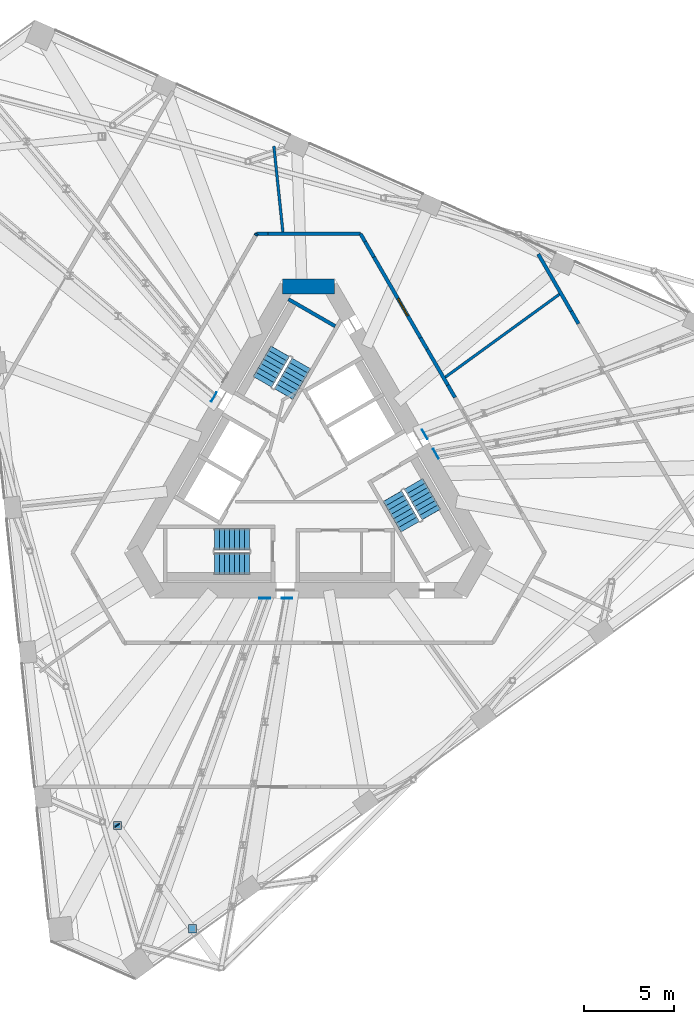
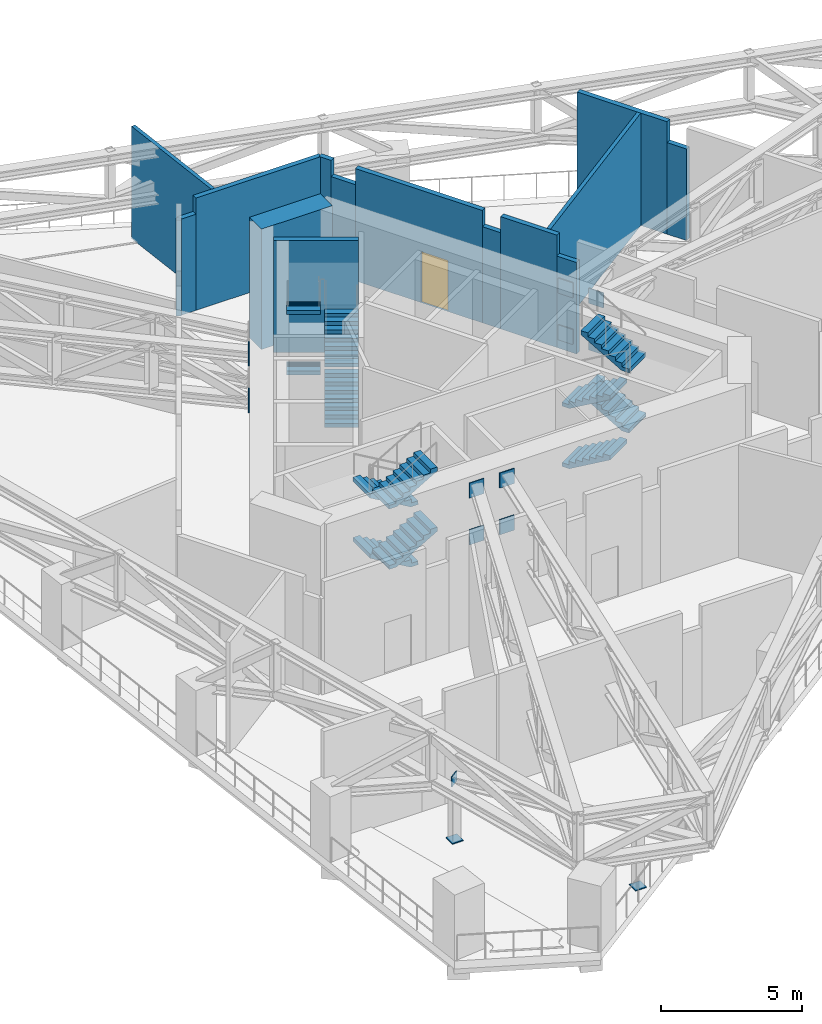
# One storey, part 19 of 26: 15 walls, 13 discrete accessories, 12 stair flights, 1 door, 1 opening, 3 elements without a shape of their own.
"""IFC4 building model written with IfcOpenShell, lengths in metres."""

import ifcopenshell
import ifcopenshell.guid

model = None  # the IFC model being written
_history = None  # IfcOwnerHistory: only IFC2X3 demands one
_inside = {}  # id of a spatial element -> (the spatial element, [elements in it])
_under = {}  # id of a project, library or spatial element -> (it, [spatial elements below it])
_declared = {}  # id of a project -> (the project, [libraries it declares])
_typed = {}  # id of a type object -> (the type object, [elements of that type])
_made_of = {}  # id of a material, layer set ... -> (it, [elements and type objects made of it])


def new_model(schema):
    """Start an empty IFC model of exactly this schema.

    Asked for "IFC4X3", IfcOpenShell would pick the latest addendum, in which some entities
    have other attributes; the version numbers below select the first issue.
    IFC2X3 requires an IfcOwnerHistory on every rooted entity: one is made here for all.
    """
    global model, _history
    if schema == "IFC4X3":
        model = ifcopenshell.file(schema_version=(4, 3, 0, 0))
    else:
        model = ifcopenshell.file(schema=schema)
    _inside.clear()
    _under.clear()
    _declared.clear()
    _typed.clear()
    _made_of.clear()
    _history = None
    if model.schema == "IFC2X3":
        org = make("IfcOrganization", Name="unknown")
        user = make(
            "IfcPersonAndOrganization",
            ThePerson=make("IfcPerson", FamilyName="unknown"),
            TheOrganization=org,
        )
        app = make(
            "IfcApplication",
            ApplicationDeveloper=org,
            Version="unknown",
            ApplicationFullName="unknown",
            ApplicationIdentifier="unknown",
        )
        _history = make(
            "IfcOwnerHistory",
            OwningUser=user,
            OwningApplication=app,
            ChangeAction="ADDED",
            CreationDate=0,
        )
    return model


def make(cls, **values):
    """One entity of the class cls with the attributes given. An attribute that is None is left unset."""
    return model.create_entity(
        cls, **{name: value for name, value in values.items() if value is not None}
    )


def rooted(cls, **values):
    """An entity with a GlobalId (a new one), such as an element, a storey or a relation."""
    return make(cls, GlobalId=ifcopenshell.guid.new(), OwnerHistory=_history, **values)


def si_unit(unit_type, name, prefix=None):
    """IfcSIUnit, for example si_unit("LENGTHUNIT", "METRE", prefix="MILLI")."""
    return make("IfcSIUnit", UnitType=unit_type, Prefix=prefix, Name=name)


def assignment(units):
    """IfcUnitAssignment: the units of a project."""
    return None if units is None else make("IfcUnitAssignment", Units=units)


def point(xyz):
    """IfcCartesianPoint."""
    return None if xyz is None else make("IfcCartesianPoint", Coordinates=xyz)


def direction(xyz):
    """IfcDirection."""
    return None if xyz is None else make("IfcDirection", DirectionRatios=xyz)


def frame(location, z_axis=None, x_axis=None):
    """IfcAxis2Placement3D, a coordinate frame: its origin and axes. An axis left out is left unset."""
    return make(
        "IfcAxis2Placement3D",
        Location=point(location),
        Axis=direction(z_axis),
        RefDirection=direction(x_axis),
    )


def frame_2d(location, x_axis=None):
    """IfcAxis2Placement2D, a coordinate frame in the plane: its origin and x axis."""
    return make(
        "IfcAxis2Placement2D", Location=point(location), RefDirection=direction(x_axis)
    )


def origin():
    """The frame at (0, 0, 0) with its axes left unset."""
    return frame((0.0, 0.0, 0.0))


def origin_2d():
    """The frame at (0, 0) in the plane with its x axis left unset."""
    return frame_2d((0.0, 0.0))


def place(relative_to, where):
    """IfcLocalPlacement: puts the frame where relative to a parent placement (None: the world)."""
    return make(
        "IfcLocalPlacement", PlacementRelTo=relative_to, RelativePlacement=where
    )


def context(
    kind, dimensions, precision=None, world=None, true_north=None, identifier=None
):
    """IfcGeometricRepresentationContext, for example the 3D "Model" context."""
    return make(
        "IfcGeometricRepresentationContext",
        ContextIdentifier=identifier,
        ContextType=kind,
        CoordinateSpaceDimension=dimensions,
        Precision=precision,
        WorldCoordinateSystem=world,
        TrueNorth=true_north,
    )


def subcontext(parent, identifier, kind, view, scale=None):
    """IfcGeometricRepresentationSubContext, for example "Body" below "Model"."""
    return make(
        "IfcGeometricRepresentationSubContext",
        ContextIdentifier=identifier,
        ContextType=kind,
        ParentContext=parent,
        TargetScale=scale,
        TargetView=view,
    )


def project(units=None, contexts=None):
    """IfcProject with its units and contexts."""
    return rooted(
        "IfcProject",
        Name="project",
        RepresentationContexts=contexts,
        UnitsInContext=assignment(units),
    )


def spatial(cls, under=None, at=None, **own):
    """A site, building, storey or space (cls), placed at a placement, below another one or the project."""
    s = rooted(cls, ObjectPlacement=at, **own)
    if under is not None:
        _under.setdefault(under.id(), (under, []))[1].append(s)
    return s


def polyline(points):
    """IfcPolyline through the points."""
    return make("IfcPolyline", Points=[point(p) for p in points])


def profile(cls, at=None, kind="AREA", **sizes):
    """A parametric profile (cls). Its sizes go by their IFC names, for example OverallWidth=200.0."""
    return make(cls, ProfileType=kind, Position=at, **sizes)


def rectangle(**sizes):
    """IfcRectangleProfileDef."""
    return profile("IfcRectangleProfileDef", **sizes)


def outline(outer, holes=None, kind="AREA"):
    """IfcArbitraryClosedProfileDef: a profile drawn as a closed curve; with holes, ...WithVoids."""
    if holes is None:
        return make("IfcArbitraryClosedProfileDef", ProfileType=kind, OuterCurve=outer)
    return make(
        "IfcArbitraryProfileDefWithVoids",
        ProfileType=kind,
        OuterCurve=outer,
        InnerCurves=holes,
    )


def extrude(swept, where, along, depth):
    """IfcExtrudedAreaSolid: the profile swept, set in the frame where, extruded along a direction by depth."""
    return make(
        "IfcExtrudedAreaSolid",
        SweptArea=swept,
        Position=where,
        ExtrudedDirection=direction(along),
        Depth=depth,
    )


def shape(context_of_items, identifier, shape_type, items):
    """IfcShapeRepresentation: the items that make up one representation, for example the "Body"."""
    return make(
        "IfcShapeRepresentation",
        ContextOfItems=context_of_items,
        RepresentationIdentifier=identifier,
        RepresentationType=shape_type,
        Items=items,
    )


def material(Name=None, Category=None):
    """IfcMaterial."""
    return make("IfcMaterial", Name=Name, Category=Category)


def layer(
    of_material, thickness, ventilated=None, Name=None, Category=None, Priority=None
):
    """IfcMaterialLayer: one layer of a wall or slab, of a material (None: an air gap)."""
    return make(
        "IfcMaterialLayer",
        Material=of_material,
        LayerThickness=thickness,
        IsVentilated=ventilated,
        Name=Name,
        Category=Category,
        Priority=Priority,
    )


def layer_set(layers, Name=None):
    """IfcMaterialLayerSet."""
    return make("IfcMaterialLayerSet", MaterialLayers=layers, LayerSetName=Name)


def made_of(thing, what):
    """Note that an element or type object is made of a material, layer set ...; save() writes the relation."""
    if what is not None:
        _made_of.setdefault(what.id(), (what, []))[1].append(thing)
    return thing


def type_object(cls, material=None, **own):
    """A type object (cls), such as IfcWallType, which elements share."""
    return made_of(rooted(cls, **own), material)


def element(
    cls,
    number,
    at=None,
    inside=None,
    cuts=None,
    type_object=None,
    material=None,
    context=None,
    identifier="Body",
    shape_type=None,
    held_by="IfcProductDefinitionShape",
    body=None,
    shapes=None,
    **own,
):
    """One element of the class cls, such as IfcWall. Its Tag is "e" and its number.

    at: its placement. inside: the storey or other place that contains it. cuts: it is an
    opening in that element (IfcRelVoidsElement). A single representation is given by context,
    identifier, shape_type and body (its items); several are given by shapes. held_by: the class
    of the entity that holds the representations. save() writes the other relations.
    """
    e = rooted(cls, Tag="e%d" % number, ObjectPlacement=at, **own)
    if body is not None:
        shapes = [shape(context, identifier, shape_type, body)]
    if shapes is not None:
        e.Representation = make(held_by, Representations=shapes)
    if inside is not None:
        _inside.setdefault(inside.id(), (inside, []))[1].append(e)
    if cuts is not None:
        rooted(
            "IfcRelVoidsElement", RelatingBuildingElement=cuts, RelatedOpeningElement=e
        )
    if type_object is not None:
        _typed.setdefault(type_object.id(), (type_object, []))[1].append(e)
    return made_of(e, material)


def fill(opening, filler):
    """IfcRelFillsElement: the door or window that sits in an opening."""
    return rooted(
        "IfcRelFillsElement",
        RelatingOpeningElement=opening,
        RelatedBuildingElement=filler,
    )


def aggregate(whole, parts):
    """IfcRelAggregates: a whole, such as a stair, and the parts it consists of."""
    return rooted("IfcRelAggregates", RelatingObject=whole, RelatedObjects=parts)


def save(model, path):
    """Write the relations noted so far, then the file.

    IfcRelAggregates (storeys below a building ...), IfcRelContainedInSpatialStructure (elements
    in a storey), IfcRelDefinesByType, IfcRelAssociatesMaterial and IfcRelDeclares: one each for
    every whole, place, type object, material and project.
    """
    for whole, parts in _under.values():
        aggregate(whole, parts)
    for where, things in _inside.values():
        rooted(
            "IfcRelContainedInSpatialStructure",
            RelatedElements=things,
            RelatingStructure=where,
        )
    for kind, things in _typed.values():
        rooted("IfcRelDefinesByType", RelatedObjects=things, RelatingType=kind)
    for what, things in _made_of.values():
        rooted("IfcRelAssociatesMaterial", RelatedObjects=things, RelatingMaterial=what)
    for by, libraries in _declared.values():
        rooted("IfcRelDeclares", RelatingContext=by, RelatedDefinitions=libraries)
    model.write(path)


model = new_model("IFC4")

# Units and contexts
model_context = context("Model", 3, precision=1e-05, world=origin(), true_north=direction((0.0, 1.0)))
body_context = subcontext(model_context, "Body", "Model", "MODEL_VIEW")
ifc_project = project(units=[si_unit("LENGTHUNIT", "METRE"), si_unit("AREAUNIT", "SQUARE_METRE"), si_unit("VOLUMEUNIT", "CUBIC_METRE"), si_unit("PLANEANGLEUNIT", "RADIAN"), si_unit("MASSUNIT", "GRAM", prefix="KILO")], contexts=[model_context])

# Site, building, storey
site_placement = place(None, origin())
site = spatial("IfcSite", under=ifc_project, at=site_placement, CompositionType="ELEMENT")
building_placement = place(site_placement, origin())
building = spatial("IfcBuilding", under=site, at=building_placement, Name="Tramontana Tower", CompositionType="ELEMENT")
storey_placement = place(building_placement, frame((0.0, 0.0, 194.800048828125)))
storey = spatial("IfcBuildingStorey", under=building, at=storey_placement, Name="L45", CompositionType="ELEMENT", Elevation=194.800048828125)

# Walls
ifc_material_1 = material(Name="Concrete 70 MPa", Category="concrete")
ifc_layer_1 = layer(ifc_material_1, 0.85009765625)
ifc_layer_set_1 = layer_set([ifc_layer_1], Name="Core wall 850 70 MPa")
wall_type_1 = type_object("IfcWallType", Name="Core wall 850 70 MPa", PredefinedType="SHEAR", material=ifc_layer_set_1)
wall_1_placement = place(storey_placement, frame((1.443359375, 10.574951171875, 0.0), z_axis=(0.0, 0.0, 1.0), x_axis=(-1.0, 0.0, 0.0)))
element("IfcWall", 1, at=wall_1_placement, inside=storey, type_object=wall_type_1, Name="Core wall C0 L45", PredefinedType="SHEAR", context=body_context, shape_type="SweptSolid", body=[
    extrude(rectangle(XDim=2.88671875, YDim=0.85009765625, at=frame_2d((1.443359375, 0.0))), origin(), (0.0, 0.0, 1.0), 5.199951171875),
])
ifc_material_2 = material(Name="Blockwork", Category="masonry")
ifc_layer_2 = layer(ifc_material_2, 0.199951171875)
ifc_layer_set_2 = layer_set([ifc_layer_2], Name="ENCLOSURE WALL 200")
wall_type_2 = type_object("IfcWallType", Name="ENCLOSURE WALL 200", PredefinedType="SOLIDWALL", material=ifc_layer_set_2)
wall_2_placement = place(storey_placement, frame((12.7744140625, 12.3740234375, 0.0), z_axis=(0.0, 0.0, 1.0), x_axis=(0.500002145574, -0.866024165033, 0.0)))
element("IfcWall", 2, at=wall_2_placement, inside=storey, type_object=wall_type_2, Name="Wall enc0-0", PredefinedType="SOLIDWALL", context=body_context, shape_type="SweptSolid", body=[
    extrude(rectangle(XDim=3.67724609375, YDim=0.199951171875, at=frame_2d((1.838623046875, 0.0))), origin(), (0.0, 0.0, 1.0), 4.849853515625),
])
wall_3_placement = place(storey_placement, frame((14.613037109375, 9.189453125, 0.0), z_axis=(0.0, 0.0, 1.0), x_axis=(0.500109828528, -0.865961984968, 0.0)))
element("IfcWall", 3, at=wall_3_placement, inside=storey, type_object=wall_type_2, Name="Wall enc0-1", PredefinedType="SOLIDWALL", context=body_context, shape_type="SweptSolid", body=[
    extrude(rectangle(XDim=0.800048828125, YDim=0.199951171875, at=frame_2d((0.39990234375, 0.0))), origin(), (0.0, 0.0, 1.0), 3.949951171875),
])
ifc_material_3 = material(Name="Blockwork", Category="masonry")
ifc_layer_3 = layer(ifc_material_3, 0.199951171875)
ifc_layer_set_3 = layer_set([ifc_layer_3], Name="ENTRY WALL 200")
wall_type_3 = type_object("IfcWallType", Name="ENTRY WALL 200", PredefinedType="SOLIDWALL", material=ifc_layer_set_3)
wall_4_placement = place(storey_placement, frame((2.88671875, 13.5, 0.0), z_axis=(0.0, 0.0, 1.0), x_axis=(0.500002592159, -0.866023907196, 0.0)))
element("IfcWall", 4, at=wall_4_placement, inside=storey, type_object=wall_type_3, Name="Wall ew0-0", PredefinedType="SOLIDWALL", context=body_context, shape_type="SweptSolid", body=[
    extrude(rectangle(XDim=0.5029296875, YDim=0.199951171875, at=frame_2d((0.25146484375, 0.0))), origin(), (0.0, 0.0, 1.0), 4.849853515625),
])
wall_5_placement = place(storey_placement, frame((3.13818359375, 13.064453125, 0.0), z_axis=(0.0, 0.0, 1.0), x_axis=(0.500063959222, -0.865988473761, 0.0)))
element("IfcWall", 5, at=wall_5_placement, inside=storey, type_object=wall_type_3, Name="Wall ew0-1", PredefinedType="SOLIDWALL", context=body_context, shape_type="SweptSolid", body=[
    extrude(rectangle(XDim=0.989990234375, YDim=0.199951171875, at=frame_2d((0.4951171875, 0.0))), origin(), (0.0, 0.0, 1.0), 4.14990234375),
])

# Wall, opening, door
wall_6_placement = place(storey_placement, frame((3.63330078125, 12.20703125, 0.0), z_axis=(0.0, 0.0, 1.0), x_axis=(0.499990271856, -0.866031020258, 0.0)))
wall_6 = element("IfcWall", 6, at=wall_6_placement, inside=storey, type_object=wall_type_3, Name="Wall ew0-2", PredefinedType="SOLIDWALL", context=body_context, shape_type="SweptSolid", body=[
    extrude(rectangle(XDim=5.181640625, YDim=0.199951171875, at=frame_2d((2.5908203125, 0.0))), origin(), (0.0, 0.0, 1.0), 4.849853515625),
])
opening_placement = place(wall_6_placement, frame((2.670654296875, 0.0, 0.0)))
opening = element("IfcOpeningElement", 7, at=opening_placement, cuts=wall_6, Name="Opening L45-09", PredefinedType="OPENING", context=body_context, shape_type="SweptSolid", body=[
    extrude(rectangle(XDim=1.10009765625, YDim=2.199951171875, at=frame_2d((0.550048828125, 1.10009765625))), frame((0.0, 0.10986328125, 0.0), z_axis=(0.0, -1.0, 0.0), x_axis=(1.0, 0.0, 0.0)), (0.0, 0.0, 1.0), 0.219970703125),
])
ifc_material_4 = material(Name="Painted steel", Category="steel")
door_type = type_object("IfcDoorType", Name="PLANT DOOR 1100", OperationType="SINGLE_SWING_LEFT", PredefinedType="DOOR", material=ifc_material_4)
door_placement = place(opening_placement, origin())
door = element("IfcDoor", 8, at=door_placement, inside=storey, type_object=door_type, Name="Door L45-09", OperationType="SINGLE_SWING_LEFT", OverallHeight=2.199951171875, OverallWidth=1.10009765625, PredefinedType="DOOR", context=body_context, shape_type="SweptSolid", body=[
    extrude(rectangle(XDim=1.10009765625, YDim=2.199951171875, at=frame_2d((0.550048828125, 1.10009765625))), frame((0.0, 0.02490234375, 0.0), z_axis=(0.0, -1.0, 0.0), x_axis=(1.0, 0.0, 0.0)), (0.0, 0.0, 1.0), 0.050048828125),
])
fill(opening, door)

# Walls
wall_7_placement = place(storey_placement, frame((6.22412109375, 7.719482421875, 0.0), z_axis=(0.0, 0.0, 1.0), x_axis=(0.499931655587, -0.866064858854, 0.0)))
element("IfcWall", 9, at=wall_7_placement, inside=storey, type_object=wall_type_3, Name="Wall ew0-3", PredefinedType="SOLIDWALL", context=body_context, shape_type="SweptSolid", body=[
    extrude(rectangle(XDim=0.74072265625, YDim=0.199951171875, at=frame_2d((0.370361328125, 0.0))), origin(), (0.0, 0.0, 1.0), 4.14990234375),
])
wall_8_placement = place(storey_placement, frame((6.594482421875, 7.077880859375, 0.0), z_axis=(0.0, 0.0, 1.0), x_axis=(0.500013761451, -0.866017458461, 0.0)))
element("IfcWall", 10, at=wall_8_placement, inside=storey, type_object=wall_type_3, Name="Wall ew0-4", PredefinedType="SOLIDWALL", context=body_context, shape_type="SweptSolid", body=[
    extrude(rectangle(XDim=2.29736328125, YDim=0.199951171875, at=frame_2d((1.148681640625, 0.0))), origin(), (0.0, 0.0, 1.0), 4.849853515625),
])
wall_9_placement = place(storey_placement, frame((7.7431640625, 5.08837890625, 0.0), z_axis=(0.0, 0.0, 1.0), x_axis=(0.500109828528, -0.865961984968, 0.0)))
element("IfcWall", 11, at=wall_9_placement, inside=storey, type_object=wall_type_3, Name="Wall ew0-5", PredefinedType="SOLIDWALL", context=body_context, shape_type="SweptSolid", body=[
    extrude(rectangle(XDim=0.800048828125, YDim=0.199951171875, at=frame_2d((0.39990234375, 0.0))), origin(), (0.0, 0.0, 1.0), 3.949951171875),
])
wall_10_placement = place(storey_placement, frame((-2.939208984375, 13.4091796875, 0.0), z_axis=(0.0, 0.0, 1.0), x_axis=(0.500393920955, 0.865797853931, 0.0)))
element("IfcWall", 12, at=wall_10_placement, inside=storey, type_object=wall_type_3, Name="Wall ew4-9", PredefinedType="SOLIDWALL", context=body_context, shape_type="SweptSolid", body=[
    extrude(rectangle(XDim=0.10498046875, YDim=0.199951171875, at=frame_2d((0.052490234375, 0.0))), origin(), (0.0, 0.0, 1.0), 4.14990234375),
])
wall_11_placement = place(storey_placement, frame((-2.88671875, 13.5, 0.0), z_axis=(0.0, 0.0, 1.0), x_axis=(1.0, 0.0, 0.0)))
element("IfcWall", 13, at=wall_11_placement, inside=storey, type_object=wall_type_3, Name="Wall ew5-0", PredefinedType="SOLIDWALL", context=body_context, shape_type="SweptSolid", body=[
    extrude(rectangle(XDim=0.642822265625, YDim=0.199951171875, at=frame_2d((0.3212890625, 0.0))), origin(), (0.0, 0.0, 1.0), 4.14990234375),
])
wall_12_placement = place(storey_placement, frame((-2.243896484375, 13.5, 0.0), z_axis=(0.0, 0.0, 1.0), x_axis=(1.0, 0.0, 0.0)))
element("IfcWall", 14, at=wall_12_placement, inside=storey, type_object=wall_type_3, Name="Wall ew5-1", PredefinedType="SOLIDWALL", context=body_context, shape_type="SweptSolid", body=[
    extrude(rectangle(XDim=5.130615234375, YDim=0.199951171875, at=frame_2d((2.5654296875, 0.0))), origin(), (0.0, 0.0, 1.0), 4.849853515625),
])
ifc_material_5 = material(Name="Gypsum board partition")
ifc_layer_4 = layer(ifc_material_5, 0.14990234375)
ifc_layer_set_4 = layer_set([ifc_layer_4], Name="PARTITION 150")
wall_type_4 = type_object("IfcWallType", Name="PARTITION 150", PredefinedType="PARTITIONING", material=ifc_layer_set_4)
wall_13_placement = place(storey_placement, frame((-1.93115234375, 18.3740234375, 0.0), z_axis=(0.0, 0.0, 1.0), x_axis=(0.104517989015, -0.994522996201, 0.0)))
element("IfcWall", 15, at=wall_13_placement, inside=storey, type_object=wall_type_4, Name="Wall fw-pw04", PredefinedType="PARTITIONING", context=body_context, shape_type="SweptSolid", body=[
    extrude(rectangle(XDim=4.80029296875, YDim=0.14990234375, at=frame_2d((2.400146484375, 0.0))), origin(), (0.0, 0.0, 1.0), 4.849853515625),
])
wall_14_placement = place(storey_placement, frame((7.60595703125, 5.526123046875, 0.0), z_axis=(0.0, 0.0, 1.0), x_axis=(0.809027351465, 0.587770996717, 0.0)))
element("IfcWall", 16, at=wall_14_placement, inside=storey, type_object=wall_type_4, Name="Wall fw-pw06", PredefinedType="PARTITIONING", context=body_context, shape_type="SweptSolid", body=[
    extrude(rectangle(XDim=8.0439453125, YDim=0.14990234375, at=frame_2d((4.02197265625, 0.0))), origin(), (0.0, 0.0, 1.0), 4.849853515625),
])
ifc_material_6 = material(Name="Concrete 70 MPa", Category="concrete")
ifc_layer_5 = layer(ifc_material_6, 0.199951171875)
ifc_layer_set_5 = layer_set([ifc_layer_5], Name="Concrete 70 MPa, 200 mm")
wall_type_5 = type_object("IfcWallType", Name="RC STAIR AND SHAFT WALL 200", PredefinedType="SOLIDWALL", material=ifc_layer_set_5)
wall_15_placement = place(storey_placement, frame((1.478515625, 8.36083984375, 0.0), z_axis=(0.0, 0.0, 1.0), x_axis=(-0.866031096941, 0.499990139034, 0.0)))
element("IfcWall", 17, at=wall_15_placement, inside=storey, type_object=wall_type_5, Name="Wall st1-far", PredefinedType="SOLIDWALL", context=body_context, shape_type="SweptSolid", body=[
    extrude(rectangle(XDim=3.0, YDim=0.199951171875, at=frame_2d((1.5, 0.0))), origin(), (0.0, 0.0, 1.0), 4.849853515625),
])

# Stair, stair flights
ifc_material_7 = material(Name="Concrete 40 MPa", Category="concrete")
stair_type = type_object("IfcStairType", Name="EXIT STAIR 32 RISERS", PredefinedType="HALF_TURN_STAIR", material=ifc_material_7)
stair_1_placement = place(storey_placement, origin())
stair_1 = element("IfcStair", 18, at=stair_1_placement, inside=storey, type_object=stair_type, Name="L45 Exit stair ST1", PredefinedType="HALF_TURN_STAIR")
ifc_material_8 = material(Name="Concrete 40 MPa", Category="concrete")
ifc_layer_6 = layer(ifc_material_8, 0.14990234375)
ifc_layer_set_6 = layer_set([ifc_layer_6], Name="EXIT STAIR FLIGHT")
stair_flight_type = type_object("IfcStairFlightType", Name="EXIT STAIR FLIGHT", PredefinedType="STRAIGHT", material=ifc_layer_set_6)
stair_flight_1_placement = place(storey_placement, frame((-1.39111328125, 4.590576171875, 0.0), z_axis=(0.0, 0.0, 1.0), x_axis=(0.5, 0.866025403784, 0.0)))
stair_flight_1 = element("IfcStairFlight", 19, at=stair_flight_1_placement, type_object=stair_flight_type, Name="ST1 flight 1", NumberOfRisers=8, NumberOfTreads=7, PredefinedType="STRAIGHT", RiserHeight=0.1625, TreadLength=0.28, context=body_context, shape_type="SweptSolid", body=[
    extrude(outline(polyline([(-0.006103515625, 0.0), (-0.006103515625, 0.0400390625), (0.0, 0.0400390625), (0.0, 0.16259765625), (0.280029296875, 0.16259765625), (0.280029296875, 0.324951171875), (0.56005859375, 0.324951171875), (0.56005859375, 0.487548828125), (0.840087890625, 0.487548828125), (0.840087890625, 0.64990234375), (1.1201171875, 0.64990234375), (1.1201171875, 0.8125), (1.39990234375, 0.8125), (1.39990234375, 0.97509765625), (1.679931640625, 0.97509765625), (1.679931640625, 1.137451171875), (1.9599609375, 1.137451171875), (1.966064453125, 1.137451171875), (1.966064453125, 0.964111328125), (0.3046875, 0.0), (-0.006103515625, 0.0)])), frame((0.0, 0.60009765625, 0.0), z_axis=(0.0, -1.0, 0.0), x_axis=(1.0, 0.0, 0.0)), (0.0, 0.0, 1.0), 1.199951171875),
])
stair_flight_2_placement = place(storey_placement, frame((-1.580322265625, 6.962890625, 1.300048828125), z_axis=(0.0, 0.0, 1.0), x_axis=(-0.5, -0.866025403784, 0.0)))
stair_flight_2 = element("IfcStairFlight", 20, at=stair_flight_2_placement, type_object=stair_flight_type, Name="ST1 flight 2", NumberOfRisers=8, NumberOfTreads=7, PredefinedType="STRAIGHT", RiserHeight=0.1625, TreadLength=0.28, context=body_context, shape_type="SweptSolid", body=[
    extrude(outline(polyline([(-0.006103515625, 0.0), (-0.006103515625, 0.0400390625), (0.0, 0.0400390625), (0.0, 0.16259765625), (0.280029296875, 0.16259765625), (0.280029296875, 0.324951171875), (0.56005859375, 0.324951171875), (0.56005859375, 0.487548828125), (0.840087890625, 0.487548828125), (0.840087890625, 0.64990234375), (1.1201171875, 0.64990234375), (1.1201171875, 0.8125), (1.39990234375, 0.8125), (1.39990234375, 0.97509765625), (1.679931640625, 0.97509765625), (1.679931640625, 1.137451171875), (1.9599609375, 1.137451171875), (1.966064453125, 1.137451171875), (1.966064453125, 0.964111328125), (0.3046875, 0.0), (-0.006103515625, 0.0)])), frame((0.0, 0.60009765625, 0.0), z_axis=(0.0, -1.0, 0.0), x_axis=(1.0, 0.0, 0.0)), (0.0, 0.0, 1.0), 1.199951171875),
])
stair_flight_3_placement = place(storey_placement, frame((-1.39111328125, 4.590576171875, 2.599853515625), z_axis=(0.0, 0.0, 1.0), x_axis=(0.5, 0.866025403784, 0.0)))
stair_flight_3 = element("IfcStairFlight", 21, at=stair_flight_3_placement, type_object=stair_flight_type, Name="ST1 flight 3", NumberOfRisers=8, NumberOfTreads=7, PredefinedType="STRAIGHT", RiserHeight=0.1625, TreadLength=0.28, context=body_context, shape_type="SweptSolid", body=[
    extrude(outline(polyline([(-0.006103515625, 0.0), (-0.006103515625, 0.0400390625), (0.0, 0.0400390625), (0.0, 0.16259765625), (0.280029296875, 0.16259765625), (0.280029296875, 0.324951171875), (0.56005859375, 0.324951171875), (0.56005859375, 0.487548828125), (0.840087890625, 0.487548828125), (0.840087890625, 0.64990234375), (1.1201171875, 0.64990234375), (1.1201171875, 0.8125), (1.39990234375, 0.8125), (1.39990234375, 0.97509765625), (1.679931640625, 0.97509765625), (1.679931640625, 1.137451171875), (1.9599609375, 1.137451171875), (1.966064453125, 1.137451171875), (1.966064453125, 0.964111328125), (0.3046875, 0.0), (-0.006103515625, 0.0)])), frame((0.0, 0.60009765625, 0.0), z_axis=(0.0, -1.0, 0.0), x_axis=(1.0, 0.0, 0.0)), (0.0, 0.0, 1.0), 1.199951171875),
])
stair_flight_4_placement = place(storey_placement, frame((-1.580322265625, 6.962890625, 3.89990234375), z_axis=(0.0, 0.0, 1.0), x_axis=(-0.5, -0.866025403784, 0.0)))
stair_flight_4 = element("IfcStairFlight", 22, at=stair_flight_4_placement, type_object=stair_flight_type, Name="ST1 flight 4", NumberOfRisers=8, NumberOfTreads=7, PredefinedType="STRAIGHT", RiserHeight=0.1625, TreadLength=0.28, context=body_context, shape_type="SweptSolid", body=[
    extrude(outline(polyline([(-0.006103515625, 0.0), (-0.006103515625, 0.0400390625), (0.0, 0.0400390625), (0.0, 0.16259765625), (0.280029296875, 0.16259765625), (0.280029296875, 0.324951171875), (0.56005859375, 0.324951171875), (0.56005859375, 0.487548828125), (0.840087890625, 0.487548828125), (0.840087890625, 0.64990234375), (1.1201171875, 0.64990234375), (1.1201171875, 0.8125), (1.39990234375, 0.8125), (1.39990234375, 0.97509765625), (1.679931640625, 0.97509765625), (1.679931640625, 1.137451171875), (1.9599609375, 1.137451171875), (1.966064453125, 1.137451171875), (1.966064453125, 0.964111328125), (0.3046875, 0.0), (-0.006103515625, 0.0)])), frame((0.0, 0.60009765625, 0.0), z_axis=(0.0, -1.0, 0.0), x_axis=(1.0, 0.0, 0.0)), (0.0, 0.0, 1.0), 1.199951171875),
])
aggregate(stair_1, [stair_flight_1, stair_flight_2, stair_flight_3, stair_flight_4])

stair_2_placement = place(storey_placement, origin())
stair_2 = element("IfcStair", 23, at=stair_2_placement, inside=storey, type_object=stair_type, Name="L45 Exit stair ST2", PredefinedType="HALF_TURN_STAIR")
stair_flight_5_placement = place(storey_placement, frame((-3.280029296875, -3.5, 0.0), z_axis=(0.0, 0.0, 1.0), x_axis=(-1.0, 0.0, 0.0)))
stair_flight_5 = element("IfcStairFlight", 24, at=stair_flight_5_placement, type_object=stair_flight_type, Name="ST2 flight 1", NumberOfRisers=8, NumberOfTreads=7, PredefinedType="STRAIGHT", RiserHeight=0.1625, TreadLength=0.28, context=body_context, shape_type="SweptSolid", body=[
    extrude(outline(polyline([(-0.006103515625, 0.0), (-0.006103515625, 0.0400390625), (0.0, 0.0400390625), (0.0, 0.16259765625), (0.280029296875, 0.16259765625), (0.280029296875, 0.324951171875), (0.56005859375, 0.324951171875), (0.56005859375, 0.487548828125), (0.840087890625, 0.487548828125), (0.840087890625, 0.64990234375), (1.1201171875, 0.64990234375), (1.1201171875, 0.8125), (1.39990234375, 0.8125), (1.39990234375, 0.97509765625), (1.679931640625, 0.97509765625), (1.679931640625, 1.137451171875), (1.9599609375, 1.137451171875), (1.966064453125, 1.137451171875), (1.966064453125, 0.964111328125), (0.3046875, 0.0), (-0.006103515625, 0.0)])), frame((0.0, 0.60009765625, 0.0), z_axis=(0.0, -1.0, 0.0), x_axis=(1.0, 0.0, 0.0)), (0.0, 0.0, 1.0), 1.199951171875),
])
stair_flight_6_placement = place(storey_placement, frame((-5.239990234375, -4.85009765625, 1.300048828125), z_axis=(0.0, 0.0, 1.0), x_axis=(1.0, 0.0, 0.0)))
stair_flight_6 = element("IfcStairFlight", 25, at=stair_flight_6_placement, type_object=stair_flight_type, Name="ST2 flight 2", NumberOfRisers=8, NumberOfTreads=7, PredefinedType="STRAIGHT", RiserHeight=0.1625, TreadLength=0.28, context=body_context, shape_type="SweptSolid", body=[
    extrude(outline(polyline([(-0.006103515625, 0.0), (-0.006103515625, 0.0400390625), (0.0, 0.0400390625), (0.0, 0.16259765625), (0.280029296875, 0.16259765625), (0.280029296875, 0.324951171875), (0.56005859375, 0.324951171875), (0.56005859375, 0.487548828125), (0.840087890625, 0.487548828125), (0.840087890625, 0.64990234375), (1.1201171875, 0.64990234375), (1.1201171875, 0.8125), (1.39990234375, 0.8125), (1.39990234375, 0.97509765625), (1.679931640625, 0.97509765625), (1.679931640625, 1.137451171875), (1.9599609375, 1.137451171875), (1.966064453125, 1.137451171875), (1.966064453125, 0.964111328125), (0.3046875, 0.0), (-0.006103515625, 0.0)])), frame((0.0, 0.60009765625, 0.0), z_axis=(0.0, -1.0, 0.0), x_axis=(1.0, 0.0, 0.0)), (0.0, 0.0, 1.0), 1.199951171875),
])
stair_flight_7_placement = place(storey_placement, frame((-3.280029296875, -3.5, 2.599853515625), z_axis=(0.0, 0.0, 1.0), x_axis=(-1.0, 0.0, 0.0)))
stair_flight_7 = element("IfcStairFlight", 26, at=stair_flight_7_placement, type_object=stair_flight_type, Name="ST2 flight 3", NumberOfRisers=8, NumberOfTreads=7, PredefinedType="STRAIGHT", RiserHeight=0.1625, TreadLength=0.28, context=body_context, shape_type="SweptSolid", body=[
    extrude(outline(polyline([(-0.006103515625, 0.0), (-0.006103515625, 0.0400390625), (0.0, 0.0400390625), (0.0, 0.16259765625), (0.280029296875, 0.16259765625), (0.280029296875, 0.324951171875), (0.56005859375, 0.324951171875), (0.56005859375, 0.487548828125), (0.840087890625, 0.487548828125), (0.840087890625, 0.64990234375), (1.1201171875, 0.64990234375), (1.1201171875, 0.8125), (1.39990234375, 0.8125), (1.39990234375, 0.97509765625), (1.679931640625, 0.97509765625), (1.679931640625, 1.137451171875), (1.9599609375, 1.137451171875), (1.966064453125, 1.137451171875), (1.966064453125, 0.964111328125), (0.3046875, 0.0), (-0.006103515625, 0.0)])), frame((0.0, 0.60009765625, 0.0), z_axis=(0.0, -1.0, 0.0), x_axis=(1.0, 0.0, 0.0)), (0.0, 0.0, 1.0), 1.199951171875),
])
stair_flight_8_placement = place(storey_placement, frame((-5.239990234375, -4.85009765625, 3.89990234375), z_axis=(0.0, 0.0, 1.0), x_axis=(1.0, 0.0, 0.0)))
stair_flight_8 = element("IfcStairFlight", 27, at=stair_flight_8_placement, type_object=stair_flight_type, Name="ST2 flight 4", NumberOfRisers=8, NumberOfTreads=7, PredefinedType="STRAIGHT", RiserHeight=0.1625, TreadLength=0.28, context=body_context, shape_type="SweptSolid", body=[
    extrude(outline(polyline([(-0.006103515625, 0.0), (-0.006103515625, 0.0400390625), (0.0, 0.0400390625), (0.0, 0.16259765625), (0.280029296875, 0.16259765625), (0.280029296875, 0.324951171875), (0.56005859375, 0.324951171875), (0.56005859375, 0.487548828125), (0.840087890625, 0.487548828125), (0.840087890625, 0.64990234375), (1.1201171875, 0.64990234375), (1.1201171875, 0.8125), (1.39990234375, 0.8125), (1.39990234375, 0.97509765625), (1.679931640625, 0.97509765625), (1.679931640625, 1.137451171875), (1.9599609375, 1.137451171875), (1.966064453125, 1.137451171875), (1.966064453125, 0.964111328125), (0.3046875, 0.0), (-0.006103515625, 0.0)])), frame((0.0, 0.60009765625, 0.0), z_axis=(0.0, -1.0, 0.0), x_axis=(1.0, 0.0, 0.0)), (0.0, 0.0, 1.0), 1.199951171875),
])
aggregate(stair_2, [stair_flight_5, stair_flight_6, stair_flight_7, stair_flight_8])

stair_3_placement = place(storey_placement, origin())
stair_3 = element("IfcStair", 28, at=stair_3_placement, inside=storey, type_object=stair_type, Name="L45 Exit stair ST3", PredefinedType="HALF_TURN_STAIR")
stair_flight_9_placement = place(storey_placement, frame((4.671142578125, -1.090576171875, 0.0), z_axis=(0.0, 0.0, 1.0), x_axis=(0.5, -0.866025403784, 0.0)))
stair_flight_9 = element("IfcStairFlight", 29, at=stair_flight_9_placement, type_object=stair_flight_type, Name="ST3 flight 1", NumberOfRisers=8, NumberOfTreads=7, PredefinedType="STRAIGHT", RiserHeight=0.1625, TreadLength=0.28, context=body_context, shape_type="SweptSolid", body=[
    extrude(outline(polyline([(-0.006103515625, 0.0), (-0.006103515625, 0.0400390625), (0.0, 0.0400390625), (0.0, 0.16259765625), (0.280029296875, 0.16259765625), (0.280029296875, 0.324951171875), (0.56005859375, 0.324951171875), (0.56005859375, 0.487548828125), (0.840087890625, 0.487548828125), (0.840087890625, 0.64990234375), (1.1201171875, 0.64990234375), (1.1201171875, 0.8125), (1.39990234375, 0.8125), (1.39990234375, 0.97509765625), (1.679931640625, 0.97509765625), (1.679931640625, 1.137451171875), (1.9599609375, 1.137451171875), (1.966064453125, 1.137451171875), (1.966064453125, 0.964111328125), (0.3046875, 0.0), (-0.006103515625, 0.0)])), frame((0.0, 0.60009765625, 0.0), z_axis=(0.0, -1.0, 0.0), x_axis=(1.0, 0.0, 0.0)), (0.0, 0.0, 1.0), 1.199951171875),
])
stair_flight_10_placement = place(storey_placement, frame((6.8203125, -2.113037109375, 1.300048828125), z_axis=(0.0, 0.0, 1.0), x_axis=(-0.5, 0.866025403784, 0.0)))
stair_flight_10 = element("IfcStairFlight", 30, at=stair_flight_10_placement, type_object=stair_flight_type, Name="ST3 flight 2", NumberOfRisers=8, NumberOfTreads=7, PredefinedType="STRAIGHT", RiserHeight=0.1625, TreadLength=0.28, context=body_context, shape_type="SweptSolid", body=[
    extrude(outline(polyline([(-0.006103515625, 0.0), (-0.006103515625, 0.0400390625), (0.0, 0.0400390625), (0.0, 0.16259765625), (0.280029296875, 0.16259765625), (0.280029296875, 0.324951171875), (0.56005859375, 0.324951171875), (0.56005859375, 0.487548828125), (0.840087890625, 0.487548828125), (0.840087890625, 0.64990234375), (1.1201171875, 0.64990234375), (1.1201171875, 0.8125), (1.39990234375, 0.8125), (1.39990234375, 0.97509765625), (1.679931640625, 0.97509765625), (1.679931640625, 1.137451171875), (1.9599609375, 1.137451171875), (1.966064453125, 1.137451171875), (1.966064453125, 0.964111328125), (0.3046875, 0.0), (-0.006103515625, 0.0)])), frame((0.0, 0.60009765625, 0.0), z_axis=(0.0, -1.0, 0.0), x_axis=(1.0, 0.0, 0.0)), (0.0, 0.0, 1.0), 1.199951171875),
])
stair_flight_11_placement = place(storey_placement, frame((4.671142578125, -1.090576171875, 2.599853515625), z_axis=(0.0, 0.0, 1.0), x_axis=(0.5, -0.866025403784, 0.0)))
stair_flight_11 = element("IfcStairFlight", 31, at=stair_flight_11_placement, type_object=stair_flight_type, Name="ST3 flight 3", NumberOfRisers=8, NumberOfTreads=7, PredefinedType="STRAIGHT", RiserHeight=0.1625, TreadLength=0.28, context=body_context, shape_type="SweptSolid", body=[
    extrude(outline(polyline([(-0.006103515625, 0.0), (-0.006103515625, 0.0400390625), (0.0, 0.0400390625), (0.0, 0.16259765625), (0.280029296875, 0.16259765625), (0.280029296875, 0.324951171875), (0.56005859375, 0.324951171875), (0.56005859375, 0.487548828125), (0.840087890625, 0.487548828125), (0.840087890625, 0.64990234375), (1.1201171875, 0.64990234375), (1.1201171875, 0.8125), (1.39990234375, 0.8125), (1.39990234375, 0.97509765625), (1.679931640625, 0.97509765625), (1.679931640625, 1.137451171875), (1.9599609375, 1.137451171875), (1.966064453125, 1.137451171875), (1.966064453125, 0.964111328125), (0.3046875, 0.0), (-0.006103515625, 0.0)])), frame((0.0, 0.60009765625, 0.0), z_axis=(0.0, -1.0, 0.0), x_axis=(1.0, 0.0, 0.0)), (0.0, 0.0, 1.0), 1.199951171875),
])
stair_flight_12_placement = place(storey_placement, frame((6.8203125, -2.113037109375, 3.89990234375), z_axis=(0.0, 0.0, 1.0), x_axis=(-0.5, 0.866025403784, 0.0)))
stair_flight_12 = element("IfcStairFlight", 32, at=stair_flight_12_placement, type_object=stair_flight_type, Name="ST3 flight 4", NumberOfRisers=8, NumberOfTreads=7, PredefinedType="STRAIGHT", RiserHeight=0.1625, TreadLength=0.28, context=body_context, shape_type="SweptSolid", body=[
    extrude(outline(polyline([(-0.006103515625, 0.0), (-0.006103515625, 0.0400390625), (0.0, 0.0400390625), (0.0, 0.16259765625), (0.280029296875, 0.16259765625), (0.280029296875, 0.324951171875), (0.56005859375, 0.324951171875), (0.56005859375, 0.487548828125), (0.840087890625, 0.487548828125), (0.840087890625, 0.64990234375), (1.1201171875, 0.64990234375), (1.1201171875, 0.8125), (1.39990234375, 0.8125), (1.39990234375, 0.97509765625), (1.679931640625, 0.97509765625), (1.679931640625, 1.137451171875), (1.9599609375, 1.137451171875), (1.966064453125, 1.137451171875), (1.966064453125, 0.964111328125), (0.3046875, 0.0), (-0.006103515625, 0.0)])), frame((0.0, 0.60009765625, 0.0), z_axis=(0.0, -1.0, 0.0), x_axis=(1.0, 0.0, 0.0)), (0.0, 0.0, 1.0), 1.199951171875),
])
aggregate(stair_3, [stair_flight_9, stair_flight_10, stair_flight_11, stair_flight_12])

# Discrete accessories
ifc_material_9 = material(Name="Steel ASTM A572 Grade 50", Category="steel")
ifc_layer_7 = layer(ifc_material_9, 0.0400390625)
ifc_layer_set_7 = layer_set([ifc_layer_7], Name="Base plate 450X450X40")
discrete_accessory_type_1 = type_object("IfcDiscreteAccessoryType", Name="Base plate 450X450X40", PredefinedType="ANCHORPLATE", material=ifc_layer_set_7)
for number, where, z_axis, x_axis, name in (
    (33, (-6.464599609375, -25.15380859375, 0.0), (0.0, 0.0, 1.0), (1.0, 0.0, 0.0), "Transfer truss post base plate C5K3.1"),
    (34, (-10.63525390625, -19.4130859375, 0.0), (0.0, 0.0, 1.0), (1.0, 0.0, 0.0), "Transfer truss post base plate C5K3.2"),
):
    element("IfcDiscreteAccessory", number, at=place(storey_placement, frame(where, z_axis=z_axis, x_axis=x_axis)), inside=storey, type_object=discrete_accessory_type_1, Name=name, PredefinedType="ANCHORPLATE", context=body_context, shape_type="SweptSolid", body=[
        extrude(rectangle(XDim=0.449951171875, YDim=0.449951171875, at=origin_2d()), origin(), (0.0, 0.0, 1.0), 0.0400390625),
    ])
ifc_material_10 = material(Name="Steel ASTM A572 Grade 50", Category="steel")
ifc_layer_8 = layer(ifc_material_10, 0.0400390625)
ifc_layer_set_8 = layer_set([ifc_layer_8], Name="Cast-in plate 600X650X40")
discrete_accessory_type_2 = type_object("IfcDiscreteAccessoryType", Name="Cast-in plate 600X650X40", PredefinedType="ANCHORPLATE", material=ifc_layer_set_8)
for number, where, z_axis, x_axis, name in (
    (35, (-2.44482421875, -6.77001953125, 2.29248046875), (0.0, 0.0, 1.0), (1.0, 0.0, 0.0), "Cast-in plate Transfer truss 1 bottom chord"),
    (36, (-2.44482421875, -6.77001953125, 4.3076171875), (0.0, 0.0, 1.0), (1.0, 0.0, 0.0), "Cast-in plate Transfer truss 1 top chord"),
    (37, (-1.200927734375, -6.77001953125, 2.29248046875), (0.0, 0.0, 1.0), (1.0, 0.0, 0.0), "Cast-in plate Transfer truss 2 bottom chord"),
    (38, (-1.200927734375, -6.77001953125, 4.3076171875), (0.0, 0.0, 1.0), (1.0, 0.0, 0.0), "Cast-in plate Transfer truss 2 top chord"),
    (39, (7.08544921875, 1.267578125, 2.29248046875), (0.0, 0.0, 1.0), (-0.5, 0.866025403784, 0.0), "Cast-in plate Transfer truss 3 bottom chord"),
    (40, (7.08544921875, 1.267578125, 4.3076171875), (0.0, 0.0, 1.0), (-0.5, 0.866025403784, 0.0), "Cast-in plate Transfer truss 3 top chord"),
    (41, (6.46337890625, 2.344970703125, 2.29248046875), (0.0, 0.0, 1.0), (-0.5, 0.866025403784, 0.0), "Cast-in plate Transfer truss 4 bottom chord"),
    (42, (6.46337890625, 2.344970703125, 4.3076171875), (0.0, 0.0, 1.0), (-0.5, 0.866025403784, 0.0), "Cast-in plate Transfer truss 4 top chord"),
    (43, (-5.262451171875, 4.425048828125, 2.29248046875), (0.0, 0.0, 1.0), (-0.5, -0.866025403784, 0.0), "Cast-in plate Transfer truss 6 bottom chord"),
    (44, (-5.262451171875, 4.425048828125, 4.3076171875), (0.0, 0.0, 1.0), (-0.5, -0.866025403784, 0.0), "Cast-in plate Transfer truss 6 top chord"),
):
    element("IfcDiscreteAccessory", number, at=place(storey_placement, frame(where, z_axis=z_axis, x_axis=x_axis)), inside=storey, type_object=discrete_accessory_type_2, Name=name, PredefinedType="ANCHORPLATE", context=body_context, shape_type="SweptSolid", body=[
        extrude(rectangle(XDim=0.60009765625, YDim=0.0400390625, at=origin_2d()), origin(), (0.0, 0.0, 1.0), 0.64990234375),
    ])
ifc_material_11 = material(Name="Steel ASTM A572 Grade 50", Category="steel")
ifc_layer_9 = layer(ifc_material_11, 0.0400390625)
ifc_layer_set_9 = layer_set([ifc_layer_9], Name="End plate 413X435X40")
discrete_accessory_type_3 = type_object("IfcDiscreteAccessoryType", Name="End plate 413X435X40", PredefinedType="ANCHORPLATE", material=ifc_layer_set_9)
discrete_accessory_placement = place(storey_placement, frame((-10.64697265625, -19.39697265625, 2.39990234375), z_axis=(0.0, 0.0, 1.0), x_axis=(0.809016994375, 0.587785252292, 0.0)))
element("IfcDiscreteAccessory", 45, at=discrete_accessory_placement, inside=storey, type_object=discrete_accessory_type_3, Name="Transfer truss girder end plate C5K3.2", PredefinedType="ANCHORPLATE", context=body_context, shape_type="SweptSolid", body=[
    extrude(rectangle(XDim=0.412841796875, YDim=0.0400390625, at=origin_2d()), origin(), (0.0, 0.0, 1.0), 0.43505859375),
])

save(model, "model.ifc")
